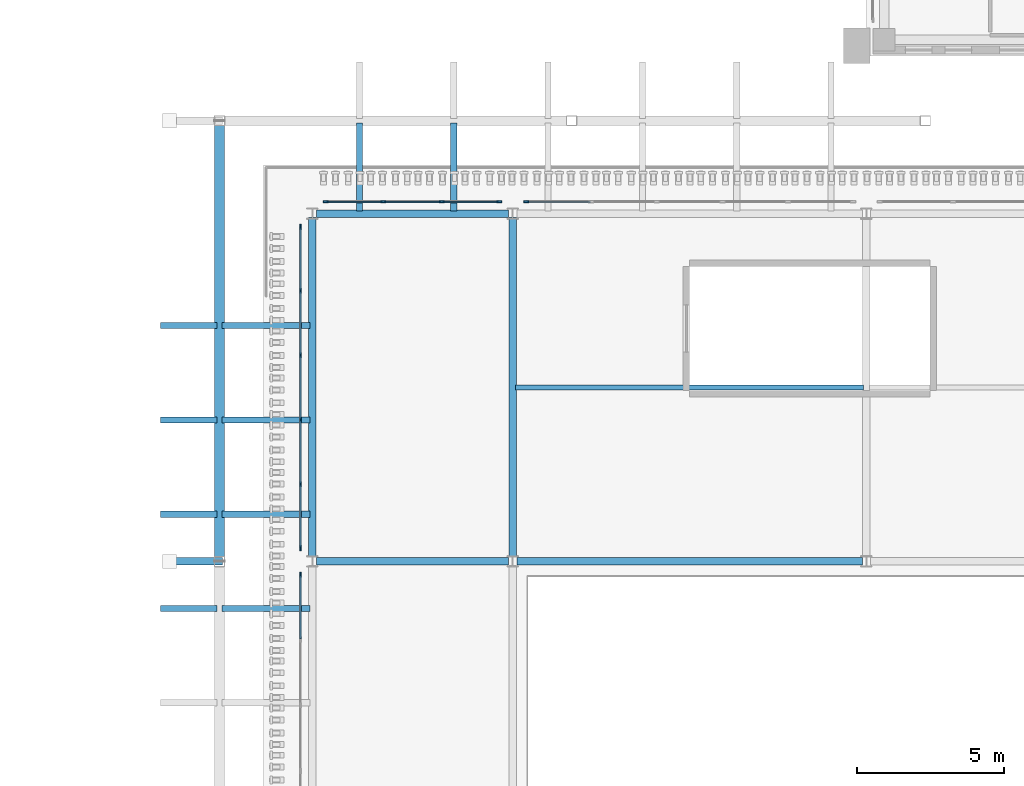
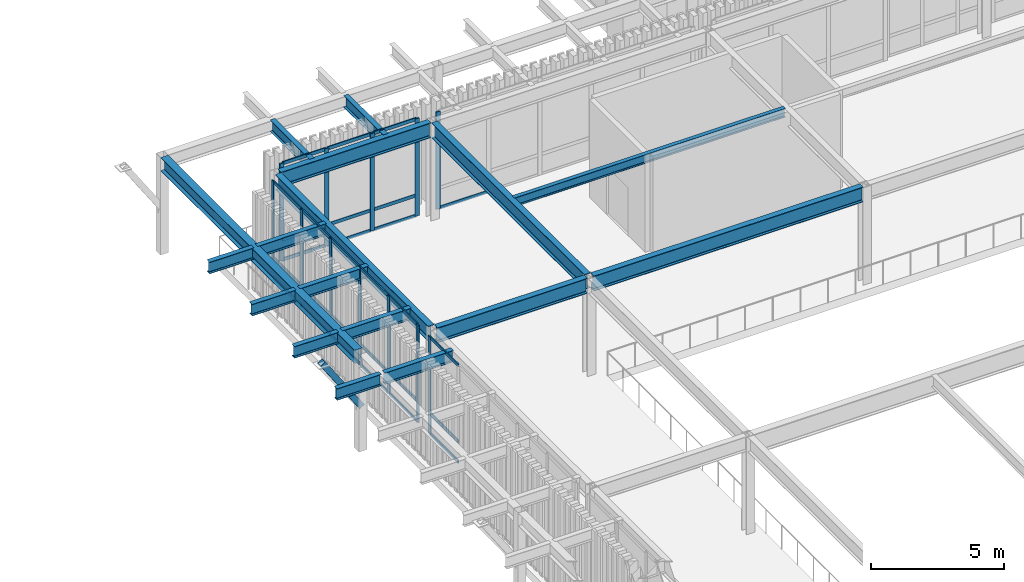
# One storey, part 55 of 126: 41 members, 17 beams, 4 elements without a shape of their own.
"""IFC4 building model written with IfcOpenShell, lengths in metres."""

from ifc_helpers import new_model, si_unit, derived_unit, direction, frame, origin, origin_2d, place, context, subcontext, project, spatial, rectangle, hollow_rectangle, i_section, extrude, material, layer, layer_set, material_profile, profile_set, type_object, element, aggregate, save


model = new_model("IFC4")

# Units and contexts
model_context = context("Model", 3, precision=1e-05, world=origin(), true_north=direction((0.0, 1.0)))
body_context = subcontext(model_context, "Body", "Model", "MODEL_VIEW")
ifc_project = project(units=[si_unit("LENGTHUNIT", "METRE"), si_unit("AREAUNIT", "SQUARE_METRE"), si_unit("VOLUMEUNIT", "CUBIC_METRE"), si_unit("PLANEANGLEUNIT", "RADIAN"), si_unit("MASSUNIT", "GRAM", prefix="KILO"), derived_unit("THERMALTRANSMITTANCEUNIT", [(si_unit("MASSUNIT", "GRAM", prefix="KILO"), 1), (si_unit("TIMEUNIT", "SECOND"), -3), (si_unit("THERMODYNAMICTEMPERATUREUNIT", "KELVIN"), -1)])], contexts=[model_context])

# Site, building, storey
site_placement = place(None, origin())
site = spatial("IfcSite", under=ifc_project, at=site_placement, CompositionType="ELEMENT")
building_placement = place(site_placement, origin())
building = spatial("IfcBuilding", under=site, at=building_placement, Name="Valcora Ridge Arena", CompositionType="ELEMENT")
storey_placement = place(building_placement, frame((0.0, 0.0, 11.39990234375)))
storey = spatial("IfcBuildingStorey", under=building, at=storey_placement, Name="L02", CompositionType="ELEMENT", Elevation=11.39990234375)

# Beams
ifc_material_1 = material(Name="Steel ASTM A572 Grade 50", Category="steel")
ifc_material_profile_1 = material_profile(ifc_material_1, i_section(OverallWidth=0.324951171875, OverallDepth=0.612060546875, WebThickness=0.0126953125, FlangeThickness=0.01904296875, FilletRadius=0.01806640625, at=origin_2d()), Name="W24X104")
ifc_profile_set_1 = profile_set([ifc_material_profile_1], Name="Steel ASTM A572 Grade 50")
beam_type_1 = type_object("IfcBeamType", Name="TY-BEAM-G-COL-W24", PredefinedType="BEAM", material=ifc_profile_set_1)
beam_1_placement = place(storey_placement, frame((134.050048828125, 66.159912109375, 4.174072265625), z_axis=(0.0, 1.0, 0.0), x_axis=(-1.0, 0.0, 0.0)))
element("IfcBeam", 1, at=beam_1_placement, inside=storey, type_object=beam_type_1, Name="G-COL-W24 BEM-G-COL-W24-0011", PredefinedType="BEAM", context=body_context, shape_type="SweptSolid", body=[
    extrude(i_section(OverallWidth=0.324951171875, OverallDepth=0.612060546875, WebThickness=0.0126953125, FlangeThickness=0.01904296875, FilletRadius=0.01806640625, at=origin_2d()), origin(), (0.0, 0.0, 1.0), 14.630126953125),
])
ifc_material_profile_2 = material_profile(ifc_material_1, i_section(OverallWidth=0.256103515625, OverallDepth=0.693115234375, WebThickness=0.014404296875, FlangeThickness=0.023681640625, FilletRadius=0.02001953125, at=origin_2d()), Name="W27X114")
ifc_profile_set_2 = profile_set([ifc_material_profile_2], Name="Steel ASTM A572 Grade 50")
beam_type_2 = type_object("IfcBeamType", Name="TY-BEAM-G-W27X114-X", PredefinedType="BEAM", material=ifc_profile_set_2)
beam_2_placement = place(storey_placement, frame((137.340087890625, 66.0, 4.133544921875), z_axis=(1.0, 0.0, 0.0), x_axis=(0.0, 1.0, 0.0)))
element("IfcBeam", 2, at=beam_2_placement, inside=storey, type_object=beam_type_2, Name="G-W27X114-X BEM-G-W27X114-X-0047", PredefinedType="BEAM", context=body_context, shape_type="SweptSolid", body=[
    extrude(i_section(OverallWidth=0.256103515625, OverallDepth=0.693115234375, WebThickness=0.014404296875, FlangeThickness=0.023681640625, FilletRadius=0.02001953125, at=origin_2d()), origin(), (0.0, 0.0, 1.0), 6.52001953125),
])
beam_3_placement = place(storey_placement, frame((144.139892578125, 66.0, 4.133544921875), z_axis=(1.0, 0.0, 0.0), x_axis=(0.0, 1.0, 0.0)))
element("IfcBeam", 3, at=beam_3_placement, inside=storey, type_object=beam_type_2, Name="G-W27X114-X BEM-G-W27X114-X-0048", PredefinedType="BEAM", context=body_context, shape_type="SweptSolid", body=[
    extrude(i_section(OverallWidth=0.256103515625, OverallDepth=0.693115234375, WebThickness=0.014404296875, FlangeThickness=0.023681640625, FilletRadius=0.02001953125, at=origin_2d()), origin(), (0.0, 0.0, 1.0), 11.72021484375),
])
ifc_material_profile_3 = material_profile(ifc_material_1, i_section(OverallWidth=0.256103515625, OverallDepth=0.693115234375, WebThickness=0.014404296875, FlangeThickness=0.023681640625, FilletRadius=0.02001953125, at=origin_2d()), Name="W27X114")
ifc_profile_set_3 = profile_set([ifc_material_profile_3], Name="Steel ASTM A572 Grade 50")
beam_type_3 = type_object("IfcBeamType", Name="TY-BEAM-G-W27X114-Y", PredefinedType="BEAM", material=ifc_profile_set_3)
for number, where, z_axis, x_axis, name in (
    (4, (137.199951171875, 66.139892578125, 4.133544921875), (0.0, 1.0, 0.0), (-1.0, 0.0, 0.0), "G-W27X114-Y BEM-G-W27X114-Y-0064"),
    (5, (144.0, 66.139892578125, 4.133544921875), (0.0, 1.0, 0.0), (-1.0, 0.0, 0.0), "G-W27X114-Y BEM-G-W27X114-Y-0070"),
):
    element("IfcBeam", number, at=place(storey_placement, frame(where, z_axis=z_axis, x_axis=x_axis)), inside=storey, type_object=beam_type_3, Name=name, PredefinedType="BEAM", context=body_context, shape_type="SweptSolid", body=[
        extrude(i_section(OverallWidth=0.256103515625, OverallDepth=0.693115234375, WebThickness=0.014404296875, FlangeThickness=0.023681640625, FilletRadius=0.02001953125, at=origin_2d()), origin(), (0.0, 0.0, 1.0), 11.52001953125),
    ])
ifc_material_profile_4 = material_profile(ifc_material_1, i_section(OverallWidth=0.177978515625, OverallDepth=0.406005859375, WebThickness=0.0078125, FlangeThickness=0.0126953125, FilletRadius=0.013916015625, at=origin_2d()), Name="W16X40")
ifc_profile_set_4 = profile_set([ifc_material_profile_4], Name="Steel ASTM A572 Grade 50")
beam_type_4 = type_object("IfcBeamType", Name="TY-BEAM-J-W16X40", PredefinedType="JOIST", material=ifc_profile_set_4)
beam_4_placement = place(storey_placement, frame((144.10009765625, 71.89990234375, 4.277099609375), z_axis=(1.0, 0.0, 0.0), x_axis=(0.0, 1.0, 0.0)))
element("IfcBeam", 6, at=beam_4_placement, inside=storey, type_object=beam_type_4, Name="J-W16X40 BEM-J-W16X40-0018", PredefinedType="JOIST", context=body_context, shape_type="SweptSolid", body=[
    extrude(i_section(OverallWidth=0.177978515625, OverallDepth=0.406005859375, WebThickness=0.0078125, FlangeThickness=0.0126953125, FilletRadius=0.013916015625, at=origin_2d()), origin(), (0.0, 0.0, 1.0), 11.7998046875),
])
ifc_material_profile_5 = material_profile(ifc_material_1, i_section(OverallWidth=0.208984375, OverallDepth=0.532958984375, WebThickness=0.01025390625, FlangeThickness=0.015625, FilletRadius=0.01611328125, at=origin_2d()), Name="W21X62")
ifc_profile_set_5 = profile_set([ifc_material_profile_5], Name="Steel ASTM A572 Grade 50")
beam_type_5 = type_object("IfcBeamType", Name="TY-BEAM-RAF-EAVE-W21", PredefinedType="BEAM", material=ifc_profile_set_5)
for number, where, z_axis, x_axis, name in (
    (7, (134.1298828125, 64.39990234375, 4.213623046875), (1.0, 0.0, 0.0), (0.0, 1.0, 0.0), "RAF-EAVE-W21 BEM-RAF-EAVE-W21-0018"),
    (8, (134.1298828125, 67.60009765625, 4.213623046875), (1.0, 0.0, 0.0), (0.0, 1.0, 0.0), "RAF-EAVE-W21 BEM-RAF-EAVE-W21-0019"),
    (9, (134.1298828125, 70.800048828125, 4.213623046875), (1.0, 0.0, 0.0), (0.0, 1.0, 0.0), "RAF-EAVE-W21 BEM-RAF-EAVE-W21-0020"),
    (10, (134.1298828125, 74.0, 4.213623046875), (1.0, 0.0, 0.0), (0.0, 1.0, 0.0), "RAF-EAVE-W21 BEM-RAF-EAVE-W21-0021"),
):
    element("IfcBeam", number, at=place(storey_placement, frame(where, z_axis=z_axis, x_axis=x_axis)), inside=storey, type_object=beam_type_5, Name=name, PredefinedType="BEAM", context=body_context, shape_type="SweptSolid", body=[
        extrude(i_section(OverallWidth=0.208984375, OverallDepth=0.532958984375, WebThickness=0.01025390625, FlangeThickness=0.015625, FilletRadius=0.01611328125, at=origin_2d()), origin(), (0.0, 0.0, 1.0), 2.990234375),
    ])
ifc_material_profile_6 = material_profile(ifc_material_1, i_section(OverallWidth=0.208984375, OverallDepth=0.532958984375, WebThickness=0.01025390625, FlangeThickness=0.015625, FilletRadius=0.01611328125, at=origin_2d()), Name="W21X62")
ifc_profile_set_6 = profile_set([ifc_material_profile_6], Name="Steel ASTM A572 Grade 50")
beam_type_6 = type_object("IfcBeamType", Name="TY-BEAM-RAF-EAVE-W21N", PredefinedType="BEAM", material=ifc_profile_set_6)
for number, where, z_axis, x_axis, name in (
    (11, (138.800048828125, 77.8798828125, 4.213623046875), (0.0, 1.0, 0.0), (-1.0, 0.0, 0.0), "RAF-EAVE-W21N BEM-RAF-EAVE-W21N-0001"),
    (12, (142.0, 77.8798828125, 4.213623046875), (0.0, 1.0, 0.0), (-1.0, 0.0, 0.0), "RAF-EAVE-W21N BEM-RAF-EAVE-W21N-0002"),
):
    element("IfcBeam", number, at=place(storey_placement, frame(where, z_axis=z_axis, x_axis=x_axis)), inside=storey, type_object=beam_type_6, Name=name, PredefinedType="BEAM", context=body_context, shape_type="SweptSolid", body=[
        extrude(i_section(OverallWidth=0.208984375, OverallDepth=0.532958984375, WebThickness=0.01025390625, FlangeThickness=0.015625, FilletRadius=0.01611328125, at=origin_2d()), origin(), (0.0, 0.0, 1.0), 2.990234375),
    ])
ifc_material_profile_7 = material_profile(ifc_material_1, i_section(OverallWidth=0.208984375, OverallDepth=0.532958984375, WebThickness=0.01025390625, FlangeThickness=0.015625, FilletRadius=0.01611328125, at=origin_2d()), Name="W21X62")
ifc_profile_set_7 = profile_set([ifc_material_profile_7], Name="Steel ASTM A572 Grade 50")
beam_type_7 = type_object("IfcBeamType", Name="TY-BEAM-RAF-TIP-W21", PredefinedType="BEAM", material=ifc_profile_set_7)
for number, where, z_axis, x_axis, name in (
    (13, (132.050048828125, 64.39990234375, 4.213623046875), (1.0, 0.0, 0.0), (0.0, 1.0, 0.0), "RAF-TIP-W21 BEM-RAF-TIP-W21-0018"),
    (14, (132.050048828125, 67.60009765625, 4.213623046875), (1.0, 0.0, 0.0), (0.0, 1.0, 0.0), "RAF-TIP-W21 BEM-RAF-TIP-W21-0019"),
    (15, (132.050048828125, 70.800048828125, 4.213623046875), (1.0, 0.0, 0.0), (0.0, 1.0, 0.0), "RAF-TIP-W21 BEM-RAF-TIP-W21-0020"),
    (16, (132.050048828125, 74.0, 4.213623046875), (1.0, 0.0, 0.0), (0.0, 1.0, 0.0), "RAF-TIP-W21 BEM-RAF-TIP-W21-0021"),
):
    element("IfcBeam", number, at=place(storey_placement, frame(where, z_axis=z_axis, x_axis=x_axis)), inside=storey, type_object=beam_type_7, Name=name, PredefinedType="BEAM", context=body_context, shape_type="SweptSolid", body=[
        extrude(i_section(OverallWidth=0.208984375, OverallDepth=0.532958984375, WebThickness=0.01025390625, FlangeThickness=0.015625, FilletRadius=0.01611328125, at=origin_2d()), origin(), (0.0, 0.0, 1.0), 1.919921875),
    ])
ifc_material_profile_8 = material_profile(ifc_material_1, i_section(OverallWidth=0.256103515625, OverallDepth=0.693115234375, WebThickness=0.014404296875, FlangeThickness=0.023681640625, FilletRadius=0.02001953125, at=origin_2d()), Name="W27X114")
ifc_profile_set_8 = profile_set([ifc_material_profile_8], Name="Steel ASTM A572 Grade 50")
beam_type_8 = type_object("IfcBeamType", Name="TY-BEAM-SP-W27X114", PredefinedType="SPANDREL", material=ifc_profile_set_8)
beam_5_placement = place(storey_placement, frame((137.340087890625, 77.800048828125, 4.133544921875), z_axis=(1.0, 0.0, 0.0), x_axis=(0.0, 1.0, 0.0)))
element("IfcBeam", 17, at=beam_5_placement, inside=storey, type_object=beam_type_8, Name="SP-W27X114 BEM-SP-W27X114-0026", PredefinedType="SPANDREL", context=body_context, shape_type="SweptSolid", body=[
    extrude(i_section(OverallWidth=0.256103515625, OverallDepth=0.693115234375, WebThickness=0.014404296875, FlangeThickness=0.023681640625, FilletRadius=0.02001953125, at=origin_2d()), origin(), (0.0, 0.0, 1.0), 6.52001953125),
])

# Curtain wall, member
ifc_material_2 = material(Name="Anodised dark bronze architectural aluminium 6063-T6", Category="aluminium")
ifc_layer_1 = layer(ifc_material_2, 0.179931640625, Name="Anodised dark bronze architectural aluminium 6063-T6")
ifc_layer_set_1 = layer_set([ifc_layer_1], Name="Anodised dark bronze architectural aluminium 6063-T6")
curtain_wall_type_1 = type_object("IfcCurtainWallType", Name="TY-CURTAINWALL-CW-V2-GLAZ-111X45", PredefinedType="NOTDEFINED", material=ifc_layer_set_1)
curtain_wall_1_placement = place(storey_placement, origin())
curtain_wall_1 = element("IfcCurtainWall", 18, at=curtain_wall_1_placement, inside=storey, type_object=curtain_wall_type_1, Name="CW-V2-GLAZ-111X45 CW-0064", PredefinedType="NOTDEFINED")
ifc_material_profile_9 = material_profile(ifc_material_2, rectangle(XDim=0.06005859375, YDim=0.179931640625, at=origin_2d()), Name="ALU MULLION 60x180")
ifc_profile_set_9 = profile_set([ifc_material_profile_9], Name="Anodised dark bronze architectural aluminium 6063-T6")
member_type_1 = type_object("IfcMemberType", Name="TY-MEM-CWM-60x180", PredefinedType="MULLION", material=ifc_profile_set_9)
member_1_placement = place(storey_placement, frame((136.800048828125, 65.54345703125, 0.0), z_axis=(0.0, 0.0, 1.0), x_axis=(-1.0, 0.0, 0.0)))
member_1 = element("IfcMember", 19, at=member_1_placement, type_object=member_type_1, Name="CW-0064/CWM-60x180/M05", PredefinedType="MULLION", context=body_context, shape_type="SweptSolid", body=[
    extrude(rectangle(XDim=0.06005859375, YDim=0.179931640625, at=origin_2d()), origin(), (0.0, 0.0, 1.0), 4.47998046875),
])

# Curtain wall, members
ifc_layer_2 = layer(ifc_material_2, 0.179931640625, Name="Anodised dark bronze architectural aluminium 6063-T6")
ifc_layer_set_2 = layer_set([ifc_layer_2], Name="Anodised dark bronze architectural aluminium 6063-T6")
curtain_wall_type_2 = type_object("IfcCurtainWallType", Name="TY-CURTAINWALL-CW-V2-GLAZ-109X45", PredefinedType="NOTDEFINED", material=ifc_layer_set_2)
curtain_wall_2_placement = place(storey_placement, origin())
curtain_wall_2 = element("IfcCurtainWall", 20, at=curtain_wall_2_placement, inside=storey, type_object=curtain_wall_type_2, Name="CW-V2-GLAZ-109X45 CW-0065", PredefinedType="NOTDEFINED")
member_2_placement = place(storey_placement, frame((136.800048828125, 66.45654296875, 0.0), z_axis=(0.0, 0.0, 1.0), x_axis=(-1.0, 0.0, 0.0)))
member_2 = element("IfcMember", 21, at=member_2_placement, type_object=member_type_1, Name="CW-0065/CWM-60x180/M00", PredefinedType="MULLION", context=body_context, shape_type="SweptSolid", body=[
    extrude(rectangle(XDim=0.06005859375, YDim=0.179931640625, at=origin_2d()), origin(), (0.0, 0.0, 1.0), 4.47998046875),
])
member_3_placement = place(storey_placement, frame((136.800048828125, 68.615966796875, 0.0), z_axis=(0.0, 0.0, 1.0), x_axis=(-1.0, 0.0, 0.0)))
member_3 = element("IfcMember", 22, at=member_3_placement, type_object=member_type_1, Name="CW-0065/CWM-60x180/M01", PredefinedType="MULLION", context=body_context, shape_type="SweptSolid", body=[
    extrude(rectangle(XDim=0.06005859375, YDim=0.179931640625, at=origin_2d()), origin(), (0.0, 0.0, 1.0), 4.47998046875),
])
member_4_placement = place(storey_placement, frame((136.800048828125, 70.805419921875, 0.0), z_axis=(0.0, 0.0, 1.0), x_axis=(-1.0, 0.0, 0.0)))
member_4 = element("IfcMember", 23, at=member_4_placement, type_object=member_type_1, Name="CW-0065/CWM-60x180/M02", PredefinedType="MULLION", context=body_context, shape_type="SweptSolid", body=[
    extrude(rectangle(XDim=0.06005859375, YDim=0.179931640625, at=origin_2d()), origin(), (0.0, 0.0, 1.0), 4.47998046875),
])
member_5_placement = place(storey_placement, frame((136.800048828125, 72.99462890625, 0.0), z_axis=(0.0, 0.0, 1.0), x_axis=(-1.0, 0.0, 0.0)))
member_5 = element("IfcMember", 24, at=member_5_placement, type_object=member_type_1, Name="CW-0065/CWM-60x180/M03", PredefinedType="MULLION", context=body_context, shape_type="SweptSolid", body=[
    extrude(rectangle(XDim=0.06005859375, YDim=0.179931640625, at=origin_2d()), origin(), (0.0, 0.0, 1.0), 4.47998046875),
])
member_6_placement = place(storey_placement, frame((136.800048828125, 75.18408203125, 0.0), z_axis=(0.0, 0.0, 1.0), x_axis=(-1.0, 0.0, 0.0)))
member_6 = element("IfcMember", 25, at=member_6_placement, type_object=member_type_1, Name="CW-0065/CWM-60x180/M04", PredefinedType="MULLION", context=body_context, shape_type="SweptSolid", body=[
    extrude(rectangle(XDim=0.06005859375, YDim=0.179931640625, at=origin_2d()), origin(), (0.0, 0.0, 1.0), 4.47998046875),
])
member_7_placement = place(storey_placement, frame((136.800048828125, 77.343505859375, 0.0), z_axis=(0.0, 0.0, 1.0), x_axis=(-1.0, 0.0, 0.0)))
member_7 = element("IfcMember", 26, at=member_7_placement, type_object=member_type_1, Name="CW-0065/CWM-60x180/M05", PredefinedType="MULLION", context=body_context, shape_type="SweptSolid", body=[
    extrude(rectangle(XDim=0.06005859375, YDim=0.179931640625, at=origin_2d()), origin(), (0.0, 0.0, 1.0), 4.47998046875),
])

ifc_layer_3 = layer(ifc_material_2, 0.179931640625, Name="Anodised dark bronze architectural aluminium 6063-T6")
ifc_layer_set_3 = layer_set([ifc_layer_3], Name="Anodised dark bronze architectural aluminium 6063-T6")
curtain_wall_type_3 = type_object("IfcCurtainWallType", Name="TY-CURTAINWALL-CW-V2-GLAZ-059X45", PredefinedType="NOTDEFINED", material=ifc_layer_set_3)
curtain_wall_3_placement = place(storey_placement, origin())
curtain_wall_3 = element("IfcCurtainWall", 27, at=curtain_wall_3_placement, inside=storey, type_object=curtain_wall_type_3, Name="CW-V2-GLAZ-059X45 CW-0079", PredefinedType="NOTDEFINED")
member_8_placement = place(storey_placement, frame((137.656982421875, 78.199951171875, 0.0), z_axis=(0.0, 0.0, 1.0), x_axis=(0.0, 1.0, 0.0)))
member_8 = element("IfcMember", 28, at=member_8_placement, type_object=member_type_1, Name="CW-0079/CWM-60x180/M00", PredefinedType="MULLION", context=body_context, shape_type="SweptSolid", body=[
    extrude(rectangle(XDim=0.06005859375, YDim=0.179931640625, at=origin_2d()), origin(), (0.0, 0.0, 1.0), 4.47998046875),
])
member_9_placement = place(storey_placement, frame((139.60888671875, 78.199951171875, 0.0), z_axis=(0.0, 0.0, 1.0), x_axis=(0.0, 1.0, 0.0)))
member_9 = element("IfcMember", 29, at=member_9_placement, type_object=member_type_1, Name="CW-0079/CWM-60x180/M01", PredefinedType="MULLION", context=body_context, shape_type="SweptSolid", body=[
    extrude(rectangle(XDim=0.06005859375, YDim=0.179931640625, at=origin_2d()), origin(), (0.0, 0.0, 1.0), 4.47998046875),
])
member_10_placement = place(storey_placement, frame((141.591064453125, 78.199951171875, 0.0), z_axis=(0.0, 0.0, 1.0), x_axis=(0.0, 1.0, 0.0)))
member_10 = element("IfcMember", 30, at=member_10_placement, type_object=member_type_1, Name="CW-0079/CWM-60x180/M02", PredefinedType="MULLION", context=body_context, shape_type="SweptSolid", body=[
    extrude(rectangle(XDim=0.06005859375, YDim=0.179931640625, at=origin_2d()), origin(), (0.0, 0.0, 1.0), 4.47998046875),
])
member_11_placement = place(storey_placement, frame((143.54296875, 78.199951171875, 0.0), z_axis=(0.0, 0.0, 1.0), x_axis=(0.0, 1.0, 0.0)))
member_11 = element("IfcMember", 31, at=member_11_placement, type_object=member_type_1, Name="CW-0079/CWM-60x180/M03", PredefinedType="MULLION", context=body_context, shape_type="SweptSolid", body=[
    extrude(rectangle(XDim=0.06005859375, YDim=0.179931640625, at=origin_2d()), origin(), (0.0, 0.0, 1.0), 4.47998046875),
])

# Curtain wall, member
curtain_wall_4_placement = place(storey_placement, origin())
curtain_wall_4 = element("IfcCurtainWall", 32, at=curtain_wall_4_placement, inside=storey, type_object=curtain_wall_type_1, Name="CW-V2-GLAZ-111X45 CW-0080", PredefinedType="NOTDEFINED")
member_12_placement = place(storey_placement, frame((144.45703125, 78.199951171875, 0.0), z_axis=(0.0, 0.0, 1.0), x_axis=(0.0, 1.0, 0.0)))
member_12 = element("IfcMember", 33, at=member_12_placement, type_object=member_type_1, Name="CW-0080/CWM-60x180/M00", PredefinedType="MULLION", context=body_context, shape_type="SweptSolid", body=[
    extrude(rectangle(XDim=0.06005859375, YDim=0.179931640625, at=origin_2d()), origin(), (0.0, 0.0, 1.0), 4.47998046875),
])

# Member
ifc_material_profile_10 = material_profile(ifc_material_2, rectangle(XDim=0.050048828125, YDim=0.14990234375, at=origin_2d()), Name="ALU TRANSOM 50x150")
ifc_profile_set_10 = profile_set([ifc_material_profile_10], Name="Anodised dark bronze architectural aluminium 6063-T6")
member_type_2 = type_object("IfcMemberType", Name="TY-MEM-CWT-50x150", PredefinedType="USERDEFINED", material=ifc_profile_set_10)
member_13_placement = place(storey_placement, frame((136.800048828125, 63.37451171875, 0.025146484375), z_axis=(0.0, 1.0, 0.0), x_axis=(-1.0, 0.0, 0.0)))
member_13 = element("IfcMember", 34, at=member_13_placement, type_object=member_type_2, Name="CW-0064/CWT-50x150/T04-00", ObjectType="TRANSOM", PredefinedType="USERDEFINED", context=body_context, shape_type="SweptSolid", body=[
    extrude(rectangle(XDim=0.050048828125, YDim=0.14990234375, at=origin_2d()), origin(), (0.0, 0.0, 1.0), 2.138916015625),
])

member_14_placement = place(storey_placement, frame((136.800048828125, 63.37451171875, 0.9501953125), z_axis=(0.0, 1.0, 0.0), x_axis=(-1.0, 0.0, 0.0)))
member_14 = element("IfcMember", 35, at=member_14_placement, type_object=member_type_2, Name="CW-0064/CWT-50x150/T04-01", ObjectType="TRANSOM", PredefinedType="USERDEFINED", context=body_context, shape_type="SweptSolid", body=[
    extrude(rectangle(XDim=0.050048828125, YDim=0.14990234375, at=origin_2d()), origin(), (0.0, 0.0, 1.0), 2.138916015625),
])

member_15_placement = place(storey_placement, frame((136.800048828125, 63.37451171875, 4.455078125), z_axis=(0.0, 1.0, 0.0), x_axis=(-1.0, 0.0, 0.0)))
member_15 = element("IfcMember", 36, at=member_15_placement, type_object=member_type_2, Name="CW-0064/CWT-50x150/T04-02", ObjectType="TRANSOM", PredefinedType="USERDEFINED", context=body_context, shape_type="SweptSolid", body=[
    extrude(rectangle(XDim=0.050048828125, YDim=0.14990234375, at=origin_2d()), origin(), (0.0, 0.0, 1.0), 2.138916015625),
])

aggregate(curtain_wall_1, [member_1, member_13, member_14, member_15])

member_16_placement = place(storey_placement, frame((136.800048828125, 66.486572265625, 0.025146484375), z_axis=(0.0, 1.0, 0.0), x_axis=(-1.0, 0.0, 0.0)))
member_16 = element("IfcMember", 37, at=member_16_placement, type_object=member_type_2, Name="CW-0065/CWT-50x150/T00-00", ObjectType="TRANSOM", PredefinedType="USERDEFINED", context=body_context, shape_type="SweptSolid", body=[
    extrude(rectangle(XDim=0.050048828125, YDim=0.14990234375, at=origin_2d()), origin(), (0.0, 0.0, 1.0), 2.098876953125),
])

member_17_placement = place(storey_placement, frame((136.800048828125, 66.486572265625, 0.9501953125), z_axis=(0.0, 1.0, 0.0), x_axis=(-1.0, 0.0, 0.0)))
member_17 = element("IfcMember", 38, at=member_17_placement, type_object=member_type_2, Name="CW-0065/CWT-50x150/T00-01", ObjectType="TRANSOM", PredefinedType="USERDEFINED", context=body_context, shape_type="SweptSolid", body=[
    extrude(rectangle(XDim=0.050048828125, YDim=0.14990234375, at=origin_2d()), origin(), (0.0, 0.0, 1.0), 2.098876953125),
])

member_18_placement = place(storey_placement, frame((136.800048828125, 66.486572265625, 4.455078125), z_axis=(0.0, 1.0, 0.0), x_axis=(-1.0, 0.0, 0.0)))
member_18 = element("IfcMember", 39, at=member_18_placement, type_object=member_type_2, Name="CW-0065/CWT-50x150/T00-02", ObjectType="TRANSOM", PredefinedType="USERDEFINED", context=body_context, shape_type="SweptSolid", body=[
    extrude(rectangle(XDim=0.050048828125, YDim=0.14990234375, at=origin_2d()), origin(), (0.0, 0.0, 1.0), 2.098876953125),
])

member_19_placement = place(storey_placement, frame((136.800048828125, 68.6455078125, 0.025146484375), z_axis=(0.0, 1.0, 0.0), x_axis=(-1.0, 0.0, 0.0)))
member_19 = element("IfcMember", 40, at=member_19_placement, type_object=member_type_2, Name="CW-0065/CWT-50x150/T01-00", ObjectType="TRANSOM", PredefinedType="USERDEFINED", context=body_context, shape_type="SweptSolid", body=[
    extrude(rectangle(XDim=0.050048828125, YDim=0.14990234375, at=origin_2d()), origin(), (0.0, 0.0, 1.0), 2.1298828125),
])

member_20_placement = place(storey_placement, frame((136.800048828125, 68.6455078125, 0.9501953125), z_axis=(0.0, 1.0, 0.0), x_axis=(-1.0, 0.0, 0.0)))
member_20 = element("IfcMember", 41, at=member_20_placement, type_object=member_type_2, Name="CW-0065/CWT-50x150/T01-01", ObjectType="TRANSOM", PredefinedType="USERDEFINED", context=body_context, shape_type="SweptSolid", body=[
    extrude(rectangle(XDim=0.050048828125, YDim=0.14990234375, at=origin_2d()), origin(), (0.0, 0.0, 1.0), 2.1298828125),
])

member_21_placement = place(storey_placement, frame((136.800048828125, 68.6455078125, 4.455078125), z_axis=(0.0, 1.0, 0.0), x_axis=(-1.0, 0.0, 0.0)))
member_21 = element("IfcMember", 42, at=member_21_placement, type_object=member_type_2, Name="CW-0065/CWT-50x150/T01-02", ObjectType="TRANSOM", PredefinedType="USERDEFINED", context=body_context, shape_type="SweptSolid", body=[
    extrude(rectangle(XDim=0.050048828125, YDim=0.14990234375, at=origin_2d()), origin(), (0.0, 0.0, 1.0), 2.1298828125),
])

member_22_placement = place(storey_placement, frame((136.800048828125, 70.83544921875, 0.025146484375), z_axis=(0.0, 1.0, 0.0), x_axis=(-1.0, 0.0, 0.0)))
member_22 = element("IfcMember", 43, at=member_22_placement, type_object=member_type_2, Name="CW-0065/CWT-50x150/T02-00", ObjectType="TRANSOM", PredefinedType="USERDEFINED", context=body_context, shape_type="SweptSolid", body=[
    extrude(rectangle(XDim=0.050048828125, YDim=0.14990234375, at=origin_2d()), origin(), (0.0, 0.0, 1.0), 2.129150390625),
])

member_23_placement = place(storey_placement, frame((136.800048828125, 70.83544921875, 0.9501953125), z_axis=(0.0, 1.0, 0.0), x_axis=(-1.0, 0.0, 0.0)))
member_23 = element("IfcMember", 44, at=member_23_placement, type_object=member_type_2, Name="CW-0065/CWT-50x150/T02-01", ObjectType="TRANSOM", PredefinedType="USERDEFINED", context=body_context, shape_type="SweptSolid", body=[
    extrude(rectangle(XDim=0.050048828125, YDim=0.14990234375, at=origin_2d()), origin(), (0.0, 0.0, 1.0), 2.129150390625),
])

member_24_placement = place(storey_placement, frame((136.800048828125, 70.83544921875, 4.455078125), z_axis=(0.0, 1.0, 0.0), x_axis=(-1.0, 0.0, 0.0)))
member_24 = element("IfcMember", 45, at=member_24_placement, type_object=member_type_2, Name="CW-0065/CWT-50x150/T02-02", ObjectType="TRANSOM", PredefinedType="USERDEFINED", context=body_context, shape_type="SweptSolid", body=[
    extrude(rectangle(XDim=0.050048828125, YDim=0.14990234375, at=origin_2d()), origin(), (0.0, 0.0, 1.0), 2.129150390625),
])

member_25_placement = place(storey_placement, frame((136.800048828125, 73.0244140625, 0.025146484375), z_axis=(0.0, 1.0, 0.0), x_axis=(-1.0, 0.0, 0.0)))
member_25 = element("IfcMember", 46, at=member_25_placement, type_object=member_type_2, Name="CW-0065/CWT-50x150/T03-00", ObjectType="TRANSOM", PredefinedType="USERDEFINED", context=body_context, shape_type="SweptSolid", body=[
    extrude(rectangle(XDim=0.050048828125, YDim=0.14990234375, at=origin_2d()), origin(), (0.0, 0.0, 1.0), 2.130126953125),
])

member_26_placement = place(storey_placement, frame((136.800048828125, 73.0244140625, 0.9501953125), z_axis=(0.0, 1.0, 0.0), x_axis=(-1.0, 0.0, 0.0)))
member_26 = element("IfcMember", 47, at=member_26_placement, type_object=member_type_2, Name="CW-0065/CWT-50x150/T03-01", ObjectType="TRANSOM", PredefinedType="USERDEFINED", context=body_context, shape_type="SweptSolid", body=[
    extrude(rectangle(XDim=0.050048828125, YDim=0.14990234375, at=origin_2d()), origin(), (0.0, 0.0, 1.0), 2.130126953125),
])

member_27_placement = place(storey_placement, frame((136.800048828125, 73.0244140625, 4.455078125), z_axis=(0.0, 1.0, 0.0), x_axis=(-1.0, 0.0, 0.0)))
member_27 = element("IfcMember", 48, at=member_27_placement, type_object=member_type_2, Name="CW-0065/CWT-50x150/T03-02", ObjectType="TRANSOM", PredefinedType="USERDEFINED", context=body_context, shape_type="SweptSolid", body=[
    extrude(rectangle(XDim=0.050048828125, YDim=0.14990234375, at=origin_2d()), origin(), (0.0, 0.0, 1.0), 2.130126953125),
])

member_28_placement = place(storey_placement, frame((136.800048828125, 75.214599609375, 0.025146484375), z_axis=(0.0, 1.0, 0.0), x_axis=(-1.0, 0.0, 0.0)))
member_28 = element("IfcMember", 49, at=member_28_placement, type_object=member_type_2, Name="CW-0065/CWT-50x150/T04-00", ObjectType="TRANSOM", PredefinedType="USERDEFINED", context=body_context, shape_type="SweptSolid", body=[
    extrude(rectangle(XDim=0.050048828125, YDim=0.14990234375, at=origin_2d()), origin(), (0.0, 0.0, 1.0), 2.098876953125),
])

member_29_placement = place(storey_placement, frame((136.800048828125, 75.214599609375, 0.9501953125), z_axis=(0.0, 1.0, 0.0), x_axis=(-1.0, 0.0, 0.0)))
member_29 = element("IfcMember", 50, at=member_29_placement, type_object=member_type_2, Name="CW-0065/CWT-50x150/T04-01", ObjectType="TRANSOM", PredefinedType="USERDEFINED", context=body_context, shape_type="SweptSolid", body=[
    extrude(rectangle(XDim=0.050048828125, YDim=0.14990234375, at=origin_2d()), origin(), (0.0, 0.0, 1.0), 2.098876953125),
])

member_30_placement = place(storey_placement, frame((136.800048828125, 75.214599609375, 4.455078125), z_axis=(0.0, 1.0, 0.0), x_axis=(-1.0, 0.0, 0.0)))
member_30 = element("IfcMember", 51, at=member_30_placement, type_object=member_type_2, Name="CW-0065/CWT-50x150/T04-02", ObjectType="TRANSOM", PredefinedType="USERDEFINED", context=body_context, shape_type="SweptSolid", body=[
    extrude(rectangle(XDim=0.050048828125, YDim=0.14990234375, at=origin_2d()), origin(), (0.0, 0.0, 1.0), 2.098876953125),
])

aggregate(curtain_wall_2, [member_2, member_3, member_4, member_5, member_6, member_7, member_16, member_17, member_18, member_19, member_20, member_21, member_22, member_23, member_24, member_25, member_26, member_27, member_28, member_29, member_30])

member_31_placement = place(storey_placement, frame((137.68701171875, 78.199951171875, 0.025146484375), z_axis=(1.0, 0.0, 0.0), x_axis=(0.0, 1.0, 0.0)))
member_31 = element("IfcMember", 52, at=member_31_placement, type_object=member_type_2, Name="CW-0079/CWT-50x150/T00-00", ObjectType="TRANSOM", PredefinedType="USERDEFINED", context=body_context, shape_type="SweptSolid", body=[
    extrude(rectangle(XDim=0.050048828125, YDim=0.14990234375, at=origin_2d()), origin(), (0.0, 0.0, 1.0), 1.89208984375),
])

member_32_placement = place(storey_placement, frame((137.68701171875, 78.199951171875, 0.9501953125), z_axis=(1.0, 0.0, 0.0), x_axis=(0.0, 1.0, 0.0)))
member_32 = element("IfcMember", 53, at=member_32_placement, type_object=member_type_2, Name="CW-0079/CWT-50x150/T00-01", ObjectType="TRANSOM", PredefinedType="USERDEFINED", context=body_context, shape_type="SweptSolid", body=[
    extrude(rectangle(XDim=0.050048828125, YDim=0.14990234375, at=origin_2d()), origin(), (0.0, 0.0, 1.0), 1.89208984375),
])

member_33_placement = place(storey_placement, frame((137.68701171875, 78.199951171875, 4.455078125), z_axis=(1.0, 0.0, 0.0), x_axis=(0.0, 1.0, 0.0)))
member_33 = element("IfcMember", 54, at=member_33_placement, type_object=member_type_2, Name="CW-0079/CWT-50x150/T00-02", ObjectType="TRANSOM", PredefinedType="USERDEFINED", context=body_context, shape_type="SweptSolid", body=[
    extrude(rectangle(XDim=0.050048828125, YDim=0.14990234375, at=origin_2d()), origin(), (0.0, 0.0, 1.0), 1.89208984375),
])

member_34_placement = place(storey_placement, frame((139.638916015625, 78.199951171875, 0.025146484375), z_axis=(1.0, 0.0, 0.0), x_axis=(0.0, 1.0, 0.0)))
member_34 = element("IfcMember", 55, at=member_34_placement, type_object=member_type_2, Name="CW-0079/CWT-50x150/T01-00", ObjectType="TRANSOM", PredefinedType="USERDEFINED", context=body_context, shape_type="SweptSolid", body=[
    extrude(rectangle(XDim=0.050048828125, YDim=0.14990234375, at=origin_2d()), origin(), (0.0, 0.0, 1.0), 1.922119140625),
])

member_35_placement = place(storey_placement, frame((139.638916015625, 78.199951171875, 0.9501953125), z_axis=(1.0, 0.0, 0.0), x_axis=(0.0, 1.0, 0.0)))
member_35 = element("IfcMember", 56, at=member_35_placement, type_object=member_type_2, Name="CW-0079/CWT-50x150/T01-01", ObjectType="TRANSOM", PredefinedType="USERDEFINED", context=body_context, shape_type="SweptSolid", body=[
    extrude(rectangle(XDim=0.050048828125, YDim=0.14990234375, at=origin_2d()), origin(), (0.0, 0.0, 1.0), 1.922119140625),
])

member_36_placement = place(storey_placement, frame((139.638916015625, 78.199951171875, 4.455078125), z_axis=(1.0, 0.0, 0.0), x_axis=(0.0, 1.0, 0.0)))
member_36 = element("IfcMember", 57, at=member_36_placement, type_object=member_type_2, Name="CW-0079/CWT-50x150/T01-02", ObjectType="TRANSOM", PredefinedType="USERDEFINED", context=body_context, shape_type="SweptSolid", body=[
    extrude(rectangle(XDim=0.050048828125, YDim=0.14990234375, at=origin_2d()), origin(), (0.0, 0.0, 1.0), 1.922119140625),
])

member_37_placement = place(storey_placement, frame((141.62109375, 78.199951171875, 0.025146484375), z_axis=(1.0, 0.0, 0.0), x_axis=(0.0, 1.0, 0.0)))
member_37 = element("IfcMember", 58, at=member_37_placement, type_object=member_type_2, Name="CW-0079/CWT-50x150/T02-00", ObjectType="TRANSOM", PredefinedType="USERDEFINED", context=body_context, shape_type="SweptSolid", body=[
    extrude(rectangle(XDim=0.050048828125, YDim=0.14990234375, at=origin_2d()), origin(), (0.0, 0.0, 1.0), 1.891845703125),
])

member_38_placement = place(storey_placement, frame((141.62109375, 78.199951171875, 0.9501953125), z_axis=(1.0, 0.0, 0.0), x_axis=(0.0, 1.0, 0.0)))
member_38 = element("IfcMember", 59, at=member_38_placement, type_object=member_type_2, Name="CW-0079/CWT-50x150/T02-01", ObjectType="TRANSOM", PredefinedType="USERDEFINED", context=body_context, shape_type="SweptSolid", body=[
    extrude(rectangle(XDim=0.050048828125, YDim=0.14990234375, at=origin_2d()), origin(), (0.0, 0.0, 1.0), 1.891845703125),
])

member_39_placement = place(storey_placement, frame((141.62109375, 78.199951171875, 4.455078125), z_axis=(1.0, 0.0, 0.0), x_axis=(0.0, 1.0, 0.0)))
member_39 = element("IfcMember", 60, at=member_39_placement, type_object=member_type_2, Name="CW-0079/CWT-50x150/T02-02", ObjectType="TRANSOM", PredefinedType="USERDEFINED", context=body_context, shape_type="SweptSolid", body=[
    extrude(rectangle(XDim=0.050048828125, YDim=0.14990234375, at=origin_2d()), origin(), (0.0, 0.0, 1.0), 1.891845703125),
])

aggregate(curtain_wall_3, [member_8, member_9, member_10, member_11, member_31, member_32, member_33, member_34, member_35, member_36, member_37, member_38, member_39])

member_40_placement = place(storey_placement, frame((144.487060546875, 78.199951171875, 0.025146484375), z_axis=(1.0, 0.0, 0.0), x_axis=(0.0, 1.0, 0.0)))
member_40 = element("IfcMember", 61, at=member_40_placement, type_object=member_type_2, Name="CW-0080/CWT-50x150/T00-00", ObjectType="TRANSOM", PredefinedType="USERDEFINED", context=body_context, shape_type="SweptSolid", body=[
    extrude(rectangle(XDim=0.050048828125, YDim=0.14990234375, at=origin_2d()), origin(), (0.0, 0.0, 1.0), 2.138916015625),
])

aggregate(curtain_wall_4, [member_12, member_40])

ifc_material_3 = material(Name="Steel ASTM A500 Grade C", Category="steel")
ifc_material_profile_11 = material_profile(ifc_material_3, hollow_rectangle(XDim=0.25, YDim=0.25, WallThickness=0.012451171875, at=origin_2d()), Name="HSS250X250X12")
ifc_profile_set_11 = profile_set([ifc_material_profile_11], Name="Steel ASTM A500 Grade C")
member_type_3 = type_object("IfcMemberType", Name="TY-MEMBER-KBG-250", PredefinedType="BRACE", material=ifc_profile_set_11)
member_41_placement = place(storey_placement, frame((134.050048828125, 66.0, 2.0), z_axis=(-0.55317758564, 0.0, 0.833063358182), x_axis=(0.0, -1.0, 0.0)))
element("IfcMember", 62, at=member_41_placement, inside=storey, type_object=member_type_3, Name="KBG-250 Knee Brace", PredefinedType="BRACE", context=body_context, shape_type="SweptSolid", body=[
    extrude(hollow_rectangle(XDim=0.25, YDim=0.25, WallThickness=0.012451171875, at=origin_2d()), origin(), (0.0, 0.0, 1.0), 3.072998046875),
])

save(model, "model.ifc")
